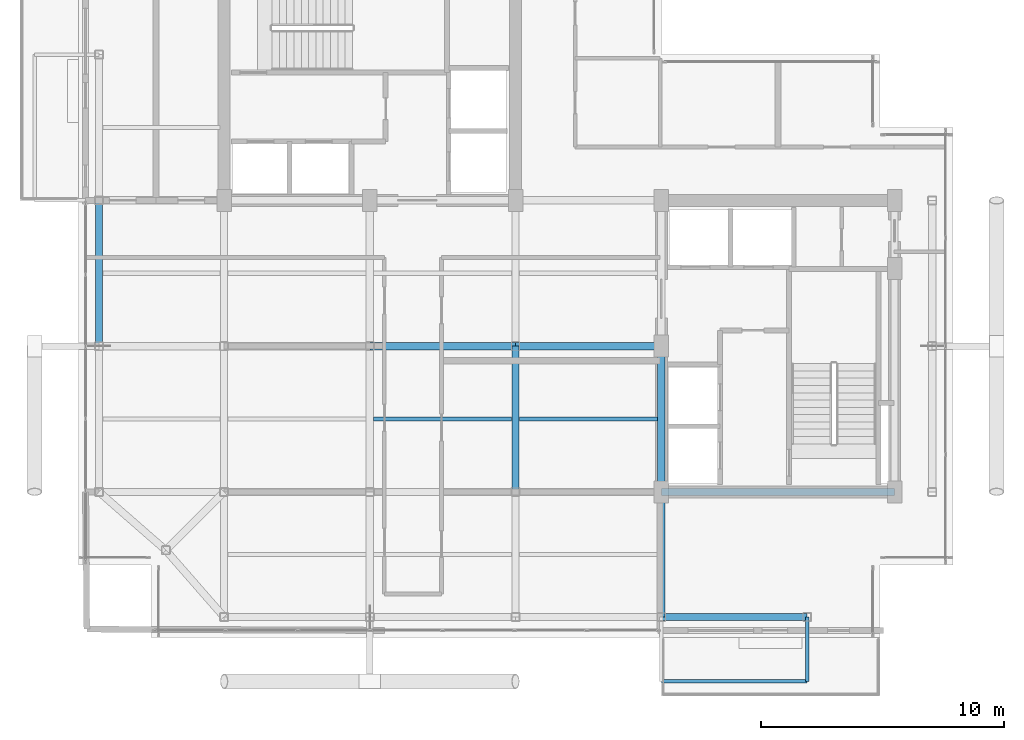
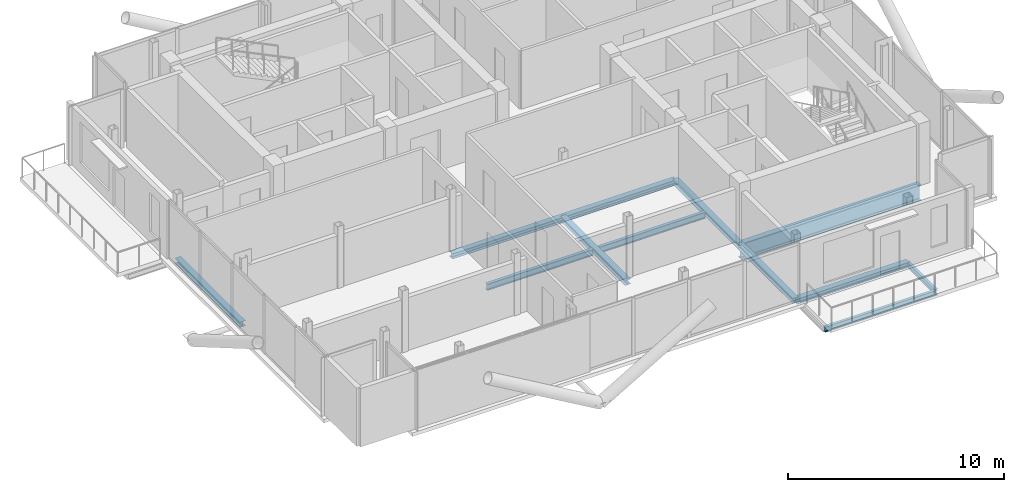
# One storey, part 5 of 18: 12 beams.
"""IFC4 building model written with IfcOpenShell, lengths in metres."""

from ifc_helpers import new_model, si_unit, direction, frame, origin, origin_2d, place, context, subcontext, project, spatial, i_section, extrude, material, material_profile, profile_set, type_object, element, save


model = new_model("IFC4")

# Units and contexts
model_context = context("Model", 3, precision=1e-05, world=origin(), true_north=direction((0.0, 1.0)))
body_context = subcontext(model_context, "Body", "Model", "MODEL_VIEW")
ifc_project = project(units=[si_unit("LENGTHUNIT", "METRE"), si_unit("AREAUNIT", "SQUARE_METRE"), si_unit("VOLUMEUNIT", "CUBIC_METRE"), si_unit("PLANEANGLEUNIT", "RADIAN"), si_unit("MASSUNIT", "GRAM", prefix="KILO"), si_unit("THERMODYNAMICTEMPERATUREUNIT", "KELVIN"), si_unit("POWERUNIT", "WATT")], contexts=[model_context])

# Site, building, storey
site_placement = place(None, origin())
site = spatial("IfcSite", under=ifc_project, at=site_placement, CompositionType="ELEMENT")
building_placement = place(site_placement, origin())
building = spatial("IfcBuilding", under=site, at=building_placement, Name="Svarakhadi Broadcast Tower", CompositionType="ELEMENT")
storey_placement = place(building_placement, frame((0.0, 0.0, 288.699951171875)))
storey = spatial("IfcBuildingStorey", under=building, at=storey_placement, Name="L73", CompositionType="ELEMENT", Elevation=288.699951171875)

# Beams
ifc_material_1 = material(Name="Steel S355J2 (IS 2062 E350C)", Category="steel")
ifc_material_profile_1 = material_profile(ifc_material_1, i_section(OverallWidth=0.169921875, OverallDepth=0.360107421875, WebThickness=0.008056640625, FlangeThickness=0.0126953125, FilletRadius=0.01806640625, at=origin_2d()), Name="NPB 360x170x57")
ifc_profile_set_1 = profile_set([ifc_material_profile_1], Name="Steel S355J2 (IS 2062 E350C)")
beam_type_1 = type_object("IfcBeamType", Name="Beam_NPB360", PredefinedType="BEAM", material=ifc_profile_set_1)
for number, where, z_axis, x_axis, name in (
    (1, (12.159912109375, 9.0, -0.3798828125), (1.0, 0.0, 0.0), (0.0, 1.0, 0.0), "L73 Secondary Composite Beam SB008"),
    (2, (18.159912109375, 9.0, -0.3798828125), (1.0, 0.0, 0.0), (0.0, 1.0, 0.0), "L73 Secondary Composite Beam SB011"),
):
    element("IfcBeam", number, at=place(storey_placement, frame(where, z_axis=z_axis, x_axis=x_axis)), inside=storey, type_object=beam_type_1, Name=name, PredefinedType="BEAM", context=body_context, shape_type="SweptSolid", body=[
        extrude(i_section(OverallWidth=0.169921875, OverallDepth=0.360107421875, WebThickness=0.008056640625, FlangeThickness=0.0126953125, FilletRadius=0.01806640625, at=origin_2d()), origin(), (0.0, 0.0, 1.0), 5.68017578125),
    ])
ifc_material_profile_2 = material_profile(ifc_material_1, i_section(OverallWidth=0.300048828125, OverallDepth=0.300048828125, WebThickness=0.010986328125, FlangeThickness=0.01904296875, FilletRadius=0.027099609375, at=origin_2d()), Name="WPB 300x300x117")
ifc_profile_set_2 = profile_set([ifc_material_profile_2], Name="Steel S355J2 (IS 2062 E350C)")
beam_type_2 = type_object("IfcBeamType", Name="Girder_WPB300", PredefinedType="USERDEFINED", material=ifc_profile_set_2)
for number, where, z_axis, x_axis, name in (
    (3, (24.0, 0.85009765625, -0.349853515625), (1.0, 0.0, 0.0), (0.0, 1.0, 0.0), "L73 Primary E-W Girder G007"),
    (4, (12.0, 12.0, -0.349853515625), (1.0, 0.0, 0.0), (0.0, 1.0, 0.0), "L73 Primary E-W Girder G015"),
    (5, (18.0, 12.0, -0.349853515625), (1.0, 0.0, 0.0), (0.0, 1.0, 0.0), "L73 Primary E-W Girder G016"),
    (6, (0.85009765625, 12.0, -0.349853515625), (0.0, 1.0, 0.0), (-1.0, 0.0, 0.0), "L73 Primary N-S Girder G027"),
    (7, (18.0, 6.0, -0.349853515625), (0.0, 1.0, 0.0), (-1.0, 0.0, 0.0), "L73 Primary N-S Girder G037"),
):
    element("IfcBeam", number, at=place(storey_placement, frame(where, z_axis=z_axis, x_axis=x_axis)), inside=storey, type_object=beam_type_2, Name=name, ObjectType="GIRDER", PredefinedType="USERDEFINED", context=body_context, shape_type="SweptSolid", body=[
        extrude(i_section(OverallWidth=0.300048828125, OverallDepth=0.300048828125, WebThickness=0.010986328125, FlangeThickness=0.01904296875, FilletRadius=0.027099609375, at=origin_2d()), origin(), (0.0, 0.0, 1.0), 6.0),
    ])
beam_1_placement = place(storey_placement, frame((24.0, 0.85009765625, -0.349853515625), z_axis=(0.0, 1.0, 0.0), x_axis=(-1.0, 0.0, 0.0)))
element("IfcBeam", 8, at=beam_1_placement, inside=storey, type_object=beam_type_2, Name="L73 Primary N-S Girder G040", ObjectType="GIRDER", PredefinedType="USERDEFINED", context=body_context, shape_type="SweptSolid", body=[
    extrude(i_section(OverallWidth=0.300048828125, OverallDepth=0.300048828125, WebThickness=0.010986328125, FlangeThickness=0.01904296875, FilletRadius=0.027099609375, at=origin_2d()), origin(), (0.0, 0.0, 1.0), 5.14990234375),
])
beam_2_placement = place(storey_placement, frame((24.0, 6.0, -0.349853515625), z_axis=(0.0, 1.0, 0.0), x_axis=(-1.0, 0.0, 0.0)))
element("IfcBeam", 9, at=beam_2_placement, inside=storey, type_object=beam_type_2, Name="L73 Primary N-S Girder G041", ObjectType="GIRDER", PredefinedType="USERDEFINED", context=body_context, shape_type="SweptSolid", body=[
    extrude(i_section(OverallWidth=0.300048828125, OverallDepth=0.300048828125, WebThickness=0.010986328125, FlangeThickness=0.01904296875, FilletRadius=0.027099609375, at=origin_2d()), origin(), (0.0, 0.0, 1.0), 6.0),
])
ifc_material_2 = material(Name="Steel S460ML (IS 2062 E450BR)", Category="steel")
ifc_material_profile_3 = material_profile(ifc_material_2, i_section(OverallWidth=0.300048828125, OverallDepth=0.89990234375, WebThickness=0.0185546875, FlangeThickness=0.034912109375, FilletRadius=0.030029296875, at=origin_2d()), Name="WPB 900x300x291")
ifc_profile_set_3 = profile_set([ifc_material_profile_3], Name="Steel S460ML (IS 2062 E450BR)")
beam_type_3 = type_object("IfcBeamType", Name="Girder_WPB900", PredefinedType="USERDEFINED", material=ifc_profile_set_3)
beam_3_placement = place(storey_placement, frame((24.0, 6.0, -0.64990234375), z_axis=(1.0, 0.0, 0.0), x_axis=(0.0, 1.0, 0.0)))
element("IfcBeam", 10, at=beam_3_placement, inside=storey, type_object=beam_type_3, Name="L73 Primary E-W Girder G012", ObjectType="GIRDER", PredefinedType="USERDEFINED", context=body_context, shape_type="SweptSolid", body=[
    extrude(i_section(OverallWidth=0.300048828125, OverallDepth=0.89990234375, WebThickness=0.0185546875, FlangeThickness=0.034912109375, FilletRadius=0.030029296875, at=origin_2d()), origin(), (0.0, 0.0, 1.0), 9.60009765625),
])
ifc_material_profile_4 = material_profile(ifc_material_1, i_section(OverallWidth=0.14990234375, OverallDepth=0.300048828125, WebThickness=0.007080078125, FlangeThickness=0.0107421875, FilletRadius=0.014892578125, at=origin_2d()), Name="NPB 300x150x37")
ifc_profile_set_4 = profile_set([ifc_material_profile_4], Name="Steel S355J2 (IS 2062 E350C)")
beam_type_4 = type_object("IfcBeamType", Name="Spandrel_NPB300", PredefinedType="SPANDREL", material=ifc_profile_set_4)
beam_4_placement = place(storey_placement, frame((30.0, 0.85009765625, -0.375), z_axis=(0.0, -1.0, 0.0), x_axis=(1.0, 0.0, 0.0)))
element("IfcBeam", 11, at=beam_4_placement, inside=storey, type_object=beam_type_4, Name="L73 Balcony Cantilever Bracket 1B", PredefinedType="SPANDREL", context=body_context, shape_type="SweptSolid", body=[
    extrude(i_section(OverallWidth=0.14990234375, OverallDepth=0.300048828125, WebThickness=0.007080078125, FlangeThickness=0.0107421875, FilletRadius=0.014892578125, at=origin_2d()), origin(), (0.0, 0.0, 1.0), 2.650146484375),
])
beam_5_placement = place(storey_placement, frame((24.0, -1.800048828125, -0.375), z_axis=(1.0, 0.0, 0.0), x_axis=(0.0, 1.0, 0.0)))
element("IfcBeam", 12, at=beam_5_placement, inside=storey, type_object=beam_type_4, Name="L73 Balcony Outer Spandrel 1F", PredefinedType="SPANDREL", context=body_context, shape_type="SweptSolid", body=[
    extrude(i_section(OverallWidth=0.14990234375, OverallDepth=0.300048828125, WebThickness=0.007080078125, FlangeThickness=0.0107421875, FilletRadius=0.014892578125, at=origin_2d()), origin(), (0.0, 0.0, 1.0), 6.0),
])

save(model, "model.ifc")
